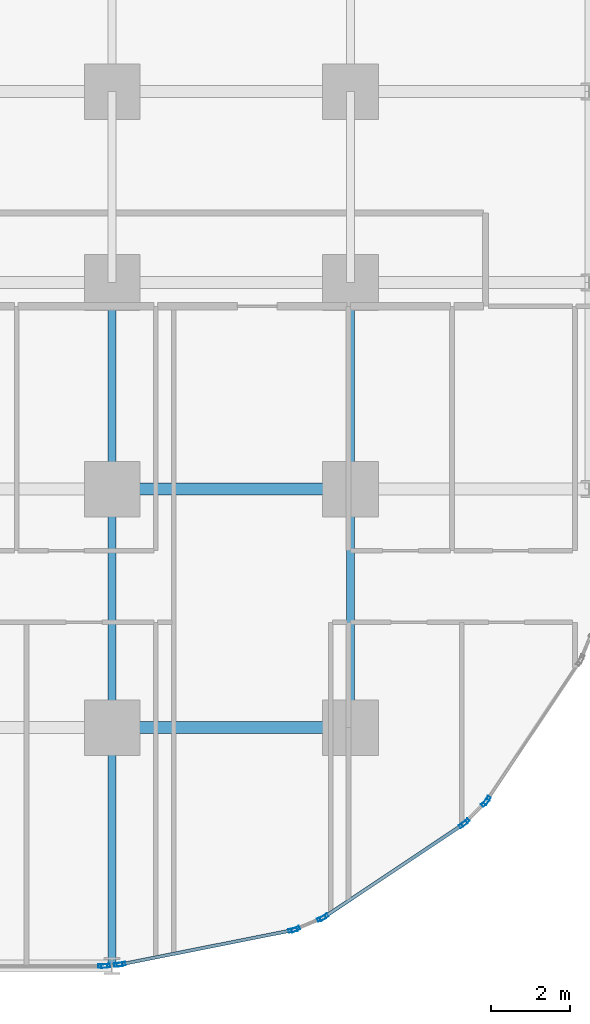
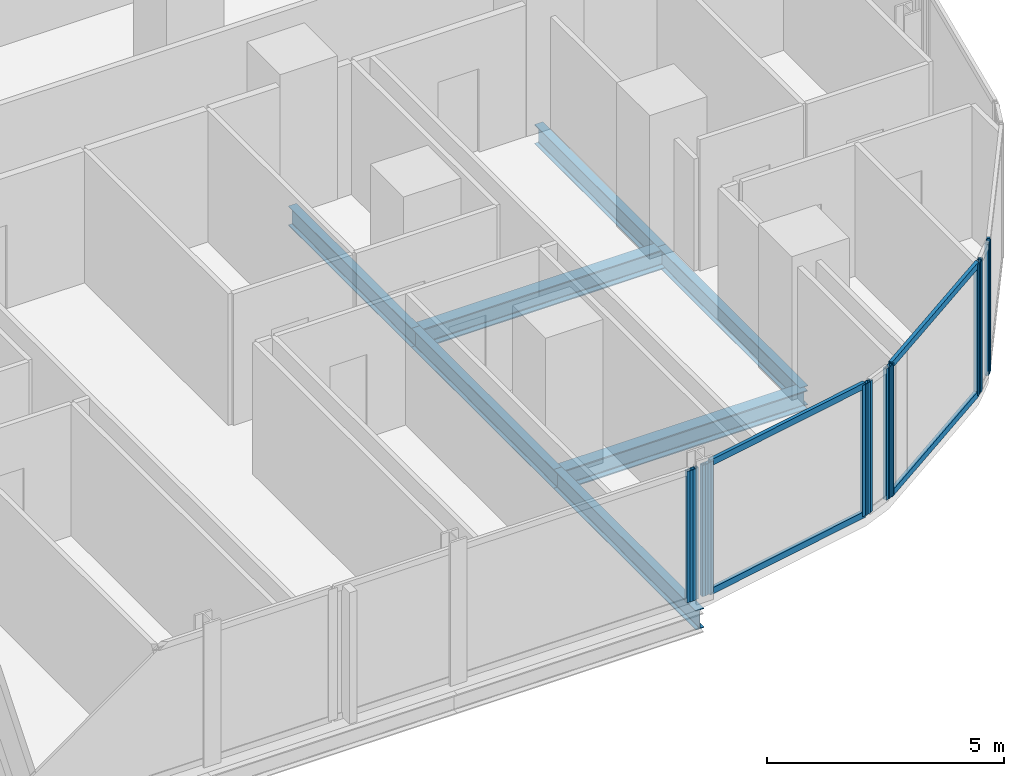
# One storey, part 9 of 34: 16 members, 7 beams, 7 elements without a shape of their own.
"""IFC4 building model written with IfcOpenShell, lengths in metres."""

from ifc_helpers import new_model, si_unit, direction, frame, origin, origin_2d, place, context, subcontext, project, spatial, hollow_rectangle, i_section, extrude, material, layer, layer_set, material_profile, profile_set, type_object, element, aggregate, save


model = new_model("IFC4")

# Units and contexts
model_context = context("Model", 3, precision=1e-05, world=origin(), true_north=direction((0.0, 1.0)))
body_context = subcontext(model_context, "Body", "Model", "MODEL_VIEW")
ifc_project = project(units=[si_unit("LENGTHUNIT", "METRE"), si_unit("AREAUNIT", "SQUARE_METRE"), si_unit("VOLUMEUNIT", "CUBIC_METRE"), si_unit("PLANEANGLEUNIT", "RADIAN"), si_unit("MASSUNIT", "GRAM", prefix="KILO")], contexts=[model_context])

# Site, building, storey
site_placement = place(None, origin())
site = spatial("IfcSite", under=ifc_project, at=site_placement, CompositionType="ELEMENT")
building_placement = place(site_placement, origin())
building = spatial("IfcBuilding", under=site, at=building_placement, Name="Keshet Zoharim Tower", CompositionType="ELEMENT")
storey_placement = place(building_placement, frame((0.0, 0.0, 38.800048828125)))
storey = spatial("IfcBuildingStorey", under=building, at=storey_placement, Name="L08", CompositionType="ELEMENT", Elevation=38.800048828125)

# Beams
ifc_material_1 = material(Name="Steel S355", Category="steel")
ifc_material_profile_1 = material_profile(ifc_material_1, i_section(OverallWidth=0.199951171875, OverallDepth=0.5, WebThickness=0.01025390625, FlangeThickness=0.01611328125, FilletRadius=0.02099609375, at=origin_2d()), Name="IPE500")
ifc_profile_set_1 = profile_set([ifc_material_profile_1], Name="Steel S355")
beam_type_1 = type_object("IfcBeamType", Name="BM-PRI-IP500", PredefinedType="BEAM", material=ifc_profile_set_1)
for number, where, z_axis, x_axis, name in (
    (1, (57.0, 0.699951171875, -0.56494140625), (0.0, 1.0, 0.0), (-1.0, 0.0, 0.0), "L08 Primary Girder Y-013"),
    (2, (57.0, 6.699951171875, -0.56494140625), (0.0, 1.0, 0.0), (-1.0, 0.0, 0.0), "L08 Primary Girder Y-014"),
):
    element("IfcBeam", number, at=place(storey_placement, frame(where, z_axis=z_axis, x_axis=x_axis)), inside=storey, type_object=beam_type_1, Name=name, PredefinedType="BEAM", context=body_context, shape_type="SweptSolid", body=[
        extrude(i_section(OverallWidth=0.199951171875, OverallDepth=0.5, WebThickness=0.01025390625, FlangeThickness=0.01611328125, FilletRadius=0.02099609375, at=origin_2d()), origin(), (0.0, 0.0, 1.0), 6.0),
    ])
beam_1_placement = place(storey_placement, frame((57.0, 12.699951171875, -0.56494140625), z_axis=(0.0, 1.0, 0.0), x_axis=(-1.0, 0.0, 0.0)))
element("IfcBeam", 3, at=beam_1_placement, inside=storey, type_object=beam_type_1, Name="L08 Primary Girder Y-015", PredefinedType="BEAM", context=body_context, shape_type="SweptSolid", body=[
    extrude(i_section(OverallWidth=0.199951171875, OverallDepth=0.5, WebThickness=0.01025390625, FlangeThickness=0.01611328125, FilletRadius=0.02099609375, at=origin_2d()), origin(), (0.0, 0.0, 1.0), 5.199951171875),
])
beam_2_placement = place(storey_placement, frame((63.0, 6.699951171875, -0.56494140625), z_axis=(0.0, 1.0, 0.0), x_axis=(-1.0, 0.0, 0.0)))
element("IfcBeam", 4, at=beam_2_placement, inside=storey, type_object=beam_type_1, Name="L08 Primary Girder Y-018", PredefinedType="BEAM", context=body_context, shape_type="SweptSolid", body=[
    extrude(i_section(OverallWidth=0.199951171875, OverallDepth=0.5, WebThickness=0.01025390625, FlangeThickness=0.01611328125, FilletRadius=0.02099609375, at=origin_2d()), origin(), (0.0, 0.0, 1.0), 6.0),
])
beam_3_placement = place(storey_placement, frame((63.0, 12.699951171875, -0.56494140625), z_axis=(0.0, 1.0, 0.0), x_axis=(-1.0, 0.0, 0.0)))
element("IfcBeam", 5, at=beam_3_placement, inside=storey, type_object=beam_type_1, Name="L08 Primary Girder Y-019", PredefinedType="BEAM", context=body_context, shape_type="SweptSolid", body=[
    extrude(i_section(OverallWidth=0.199951171875, OverallDepth=0.5, WebThickness=0.01025390625, FlangeThickness=0.01611328125, FilletRadius=0.02099609375, at=origin_2d()), origin(), (0.0, 0.0, 1.0), 5.199951171875),
])
ifc_material_profile_2 = material_profile(ifc_material_1, i_section(OverallWidth=0.300048828125, OverallDepth=0.5, WebThickness=0.014404296875, FlangeThickness=0.028076171875, FilletRadius=0.027099609375, at=origin_2d()), Name="HEB500")
ifc_profile_set_2 = profile_set([ifc_material_profile_2], Name="Steel S355")
beam_type_2 = type_object("IfcBeamType", Name="BM-WEB-HB500", PredefinedType="BEAM", material=ifc_profile_set_2)
for number, where, z_axis, x_axis, name in (
    (6, (57.0, 6.699951171875, -0.56494140625), (1.0, 0.0, 0.0), (0.0, 1.0, 0.0), "L08 Primary Girder X-010"),
    (7, (57.0, 12.699951171875, -0.56494140625), (1.0, 0.0, 0.0), (0.0, 1.0, 0.0), "L08 Primary Girder X-013"),
):
    element("IfcBeam", number, at=place(storey_placement, frame(where, z_axis=z_axis, x_axis=x_axis)), inside=storey, type_object=beam_type_2, Name=name, PredefinedType="BEAM", context=body_context, shape_type="SweptSolid", body=[
        extrude(i_section(OverallWidth=0.300048828125, OverallDepth=0.5, WebThickness=0.014404296875, FlangeThickness=0.028076171875, FilletRadius=0.027099609375, at=origin_2d()), origin(), (0.0, 0.0, 1.0), 6.0),
    ])

# Curtain wall, member
ifc_material_2 = material(Name="Aluminium 6063-T6", Category="aluminium")
ifc_layer = layer(ifc_material_2, 0.179931640625)
ifc_layer_set = layer_set([ifc_layer], Name="Aluminium 6063-T6")
curtain_wall_type = type_object("IfcCurtainWallType", Name="CW-SYS-01", PredefinedType="NOTDEFINED", material=ifc_layer_set)
curtain_wall_1_placement = place(storey_placement, origin())
curtain_wall_1 = element("IfcCurtainWall", 8, at=curtain_wall_1_placement, inside=storey, type_object=curtain_wall_type, Name="L08 Unitised Curtain Wall 20", PredefinedType="NOTDEFINED")
ifc_material_profile_3 = material_profile(ifc_material_2, hollow_rectangle(XDim=0.090087890625, YDim=0.219970703125, WallThickness=0.0048828125, at=origin_2d()), Name="MUL-90x220")
ifc_profile_set_3 = profile_set([ifc_material_profile_3], Name="Aluminium 6063-T6")
member_type_1 = type_object("IfcMemberType", Name="CWM-M22", PredefinedType="MULLION", material=ifc_profile_set_3)
member_1_placement = place(storey_placement, frame((66.432373046875, 4.8671875, 0.0), z_axis=(0.0, 0.0, 1.0), x_axis=(0.831474282335, -0.555563243758, 0.0)))
member_1 = element("IfcMember", 9, at=member_1_placement, type_object=member_type_1, Name="CW-01 mullion 2", PredefinedType="MULLION", context=body_context, shape_type="SweptSolid", body=[
    extrude(hollow_rectangle(XDim=0.090087890625, YDim=0.219970703125, WallThickness=0.0048828125, at=origin_2d()), origin(), (0.0, 0.0, 1.0), 3.385009765625),
])
aggregate(curtain_wall_1, [member_1])

# Curtain wall, members
curtain_wall_2_placement = place(storey_placement, origin())
curtain_wall_2 = element("IfcCurtainWall", 10, at=curtain_wall_2_placement, inside=storey, type_object=curtain_wall_type, Name="L08 Unitised Curtain Wall 21", PredefinedType="NOTDEFINED")
member_2_placement = place(storey_placement, frame((66.38818359375, 4.813232421875, 0.0), z_axis=(0.0, 0.0, 1.0), x_axis=(0.707106781187, -0.707106781187, 0.0)))
member_2 = element("IfcMember", 11, at=member_2_placement, type_object=member_type_1, Name="CW-01 mullion 1", PredefinedType="MULLION", context=body_context, shape_type="SweptSolid", body=[
    extrude(hollow_rectangle(XDim=0.090087890625, YDim=0.219970703125, WallThickness=0.0048828125, at=origin_2d()), origin(), (0.0, 0.0, 1.0), 3.385009765625),
])
member_3_placement = place(storey_placement, frame((65.88671875, 4.311767578125, 0.0), z_axis=(0.0, 0.0, 1.0), x_axis=(0.707106781187, -0.707106781187, 0.0)))
member_3 = element("IfcMember", 12, at=member_3_placement, type_object=member_type_1, Name="CW-01 mullion 2", PredefinedType="MULLION", context=body_context, shape_type="SweptSolid", body=[
    extrude(hollow_rectangle(XDim=0.090087890625, YDim=0.219970703125, WallThickness=0.0048828125, at=origin_2d()), origin(), (0.0, 0.0, 1.0), 3.385009765625),
])
aggregate(curtain_wall_2, [member_2, member_3])

curtain_wall_3_placement = place(storey_placement, origin())
curtain_wall_3 = element("IfcCurtainWall", 13, at=curtain_wall_3_placement, inside=storey, type_object=curtain_wall_type, Name="L08 Unitised Curtain Wall 22", PredefinedType="NOTDEFINED")
member_4_placement = place(storey_placement, frame((65.8330078125, 4.267578125, 0.0), z_axis=(0.0, 0.0, 1.0), x_axis=(0.555563243758, -0.831474282335, 0.0)))
member_4 = element("IfcMember", 14, at=member_4_placement, type_object=member_type_1, Name="CW-01 mullion 1", PredefinedType="MULLION", context=body_context, shape_type="SweptSolid", body=[
    extrude(hollow_rectangle(XDim=0.090087890625, YDim=0.219970703125, WallThickness=0.0048828125, at=origin_2d()), origin(), (0.0, 0.0, 1.0), 3.385009765625),
])
member_5_placement = place(storey_placement, frame((62.335205078125, 1.930419921875, 0.0), z_axis=(0.0, 0.0, 1.0), x_axis=(0.555563243758, -0.831474282335, 0.0)))
member_5 = element("IfcMember", 15, at=member_5_placement, type_object=member_type_1, Name="CW-01 mullion 2", PredefinedType="MULLION", context=body_context, shape_type="SweptSolid", body=[
    extrude(hollow_rectangle(XDim=0.090087890625, YDim=0.219970703125, WallThickness=0.0048828125, at=origin_2d()), origin(), (0.0, 0.0, 1.0), 3.385009765625),
])

curtain_wall_4_placement = place(storey_placement, origin())
curtain_wall_4 = element("IfcCurtainWall", 16, at=curtain_wall_4_placement, inside=storey, type_object=curtain_wall_type, Name="L08 Unitised Curtain Wall 23", PredefinedType="NOTDEFINED")
member_6_placement = place(storey_placement, frame((62.273681640625, 1.897705078125, 0.0), z_axis=(0.0, 0.0, 1.0), x_axis=(0.383068349739, -0.923720000557, 0.0)))
member_6 = element("IfcMember", 17, at=member_6_placement, type_object=member_type_1, Name="CW-01 mullion 1", PredefinedType="MULLION", context=body_context, shape_type="SweptSolid", body=[
    extrude(hollow_rectangle(XDim=0.090087890625, YDim=0.219970703125, WallThickness=0.0048828125, at=origin_2d()), origin(), (0.0, 0.0, 1.0), 3.385009765625),
])
member_7_placement = place(storey_placement, frame((61.617431640625, 1.62548828125, 0.0), z_axis=(0.0, 0.0, 1.0), x_axis=(0.383068349739, -0.923720000557, 0.0)))
member_7 = element("IfcMember", 18, at=member_7_placement, type_object=member_type_1, Name="CW-01 mullion 2", PredefinedType="MULLION", context=body_context, shape_type="SweptSolid", body=[
    extrude(hollow_rectangle(XDim=0.090087890625, YDim=0.219970703125, WallThickness=0.0048828125, at=origin_2d()), origin(), (0.0, 0.0, 1.0), 3.385009765625),
])
aggregate(curtain_wall_4, [member_6, member_7])

curtain_wall_5_placement = place(storey_placement, origin())
curtain_wall_5 = element("IfcCurtainWall", 19, at=curtain_wall_5_placement, inside=storey, type_object=curtain_wall_type, Name="L08 Unitised Curtain Wall 24", PredefinedType="NOTDEFINED")
member_8_placement = place(storey_placement, frame((61.55078125, 1.605224609375, 0.0), z_axis=(0.0, 0.0, 1.0), x_axis=(0.195171279072, -0.98076917357, 0.0)))
member_8 = element("IfcMember", 20, at=member_8_placement, type_object=member_type_1, Name="CW-01 mullion 1", PredefinedType="MULLION", context=body_context, shape_type="SweptSolid", body=[
    extrude(hollow_rectangle(XDim=0.090087890625, YDim=0.219970703125, WallThickness=0.0048828125, at=origin_2d()), origin(), (0.0, 0.0, 1.0), 3.385009765625),
])
member_9_placement = place(storey_placement, frame((57.227294921875, 0.744873046875, 0.0), z_axis=(0.0, 0.0, 1.0), x_axis=(0.195171279072, -0.98076917357, 0.0)))
member_9 = element("IfcMember", 21, at=member_9_placement, type_object=member_type_1, Name="CW-01 mullion 2", PredefinedType="MULLION", context=body_context, shape_type="SweptSolid", body=[
    extrude(hollow_rectangle(XDim=0.090087890625, YDim=0.219970703125, WallThickness=0.0048828125, at=origin_2d()), origin(), (0.0, 0.0, 1.0), 3.385009765625),
])

curtain_wall_6_placement = place(storey_placement, origin())
curtain_wall_6 = element("IfcCurtainWall", 22, at=curtain_wall_6_placement, inside=storey, type_object=curtain_wall_type, Name="L08 Unitised Curtain Wall 25", PredefinedType="NOTDEFINED")
member_10_placement = place(storey_placement, frame((57.158203125, 0.734619140625, 0.0), z_axis=(0.0, 0.0, 1.0), x_axis=(0.096976648633, -0.995286657009, 0.0)))
member_10 = element("IfcMember", 23, at=member_10_placement, type_object=member_type_1, Name="CW-01 mullion 1", PredefinedType="MULLION", context=body_context, shape_type="SweptSolid", body=[
    extrude(hollow_rectangle(XDim=0.090087890625, YDim=0.219970703125, WallThickness=0.0048828125, at=origin_2d()), origin(), (0.0, 0.0, 1.0), 3.385009765625),
])
member_11_placement = place(storey_placement, frame((56.837890625, 0.703369140625, 0.0), z_axis=(0.0, 0.0, 1.0), x_axis=(0.096976648633, -0.995286657009, 0.0)))
member_11 = element("IfcMember", 24, at=member_11_placement, type_object=member_type_1, Name="CW-01 mullion 2", PredefinedType="MULLION", context=body_context, shape_type="SweptSolid", body=[
    extrude(hollow_rectangle(XDim=0.090087890625, YDim=0.219970703125, WallThickness=0.0048828125, at=origin_2d()), origin(), (0.0, 0.0, 1.0), 3.385009765625),
])
aggregate(curtain_wall_6, [member_10, member_11])

# Curtain wall, member
curtain_wall_7_placement = place(storey_placement, origin())
curtain_wall_7 = element("IfcCurtainWall", 25, at=curtain_wall_7_placement, inside=storey, type_object=curtain_wall_type, Name="L08 Unitised Curtain Wall 26", PredefinedType="NOTDEFINED")
member_12_placement = place(storey_placement, frame((56.76806640625, 0.699951171875, 0.0), z_axis=(0.0, 0.0, 1.0), x_axis=(0.0, -1.0, 0.0)))
member_12 = element("IfcMember", 26, at=member_12_placement, type_object=member_type_1, Name="CW-01 mullion 1", PredefinedType="MULLION", context=body_context, shape_type="SweptSolid", body=[
    extrude(hollow_rectangle(XDim=0.090087890625, YDim=0.219970703125, WallThickness=0.0048828125, at=origin_2d()), origin(), (0.0, 0.0, 1.0), 3.385009765625),
])
aggregate(curtain_wall_7, [member_12])

# Member
ifc_material_profile_4 = material_profile(ifc_material_2, hollow_rectangle(XDim=0.0849609375, YDim=0.159912109375, WallThickness=0.00439453125, at=origin_2d()), Name="TRN-85x160")
ifc_profile_set_4 = profile_set([ifc_material_profile_4], Name="Aluminium 6063-T6")
member_type_2 = type_object("IfcMemberType", Name="CWT-T16", PredefinedType="USERDEFINED", material=ifc_profile_set_4)
member_13_placement = place(storey_placement, frame((65.8037109375, 4.248046875, 0.034912109375), z_axis=(-0.831477809106, -0.55555796544, 0.0), x_axis=(0.55555796544, -0.831477809106, 0.0)))
member_13 = element("IfcMember", 27, at=member_13_placement, type_object=member_type_2, Name="CW-01 transom 1.1", ObjectType="TRANSOM", PredefinedType="USERDEFINED", context=body_context, shape_type="SweptSolid", body=[
    extrude(hollow_rectangle(XDim=0.0849609375, YDim=0.159912109375, WallThickness=0.00439453125, at=origin_2d()), origin(), (0.0, 0.0, 1.0), 4.136474609375),
])

member_14_placement = place(storey_placement, frame((65.8037109375, 4.248046875, 3.349853515625), z_axis=(-0.831477809106, -0.55555796544, 0.0), x_axis=(0.55555796544, -0.831477809106, 0.0)))
member_14 = element("IfcMember", 28, at=member_14_placement, type_object=member_type_2, Name="CW-01 transom 1.2", ObjectType="TRANSOM", PredefinedType="USERDEFINED", context=body_context, shape_type="SweptSolid", body=[
    extrude(hollow_rectangle(XDim=0.0849609375, YDim=0.159912109375, WallThickness=0.00439453125, at=origin_2d()), origin(), (0.0, 0.0, 1.0), 4.136474609375),
])

aggregate(curtain_wall_3, [member_4, member_5, member_13, member_14])

member_15_placement = place(storey_placement, frame((61.516357421875, 1.598388671875, 0.034912109375), z_axis=(-0.980768540739, -0.195174459131, 0.0), x_axis=(0.195174459131, -0.980768540739, 0.0)))
member_15 = element("IfcMember", 29, at=member_15_placement, type_object=member_type_2, Name="CW-01 transom 1.1", ObjectType="TRANSOM", PredefinedType="USERDEFINED", context=body_context, shape_type="SweptSolid", body=[
    extrude(hollow_rectangle(XDim=0.0849609375, YDim=0.159912109375, WallThickness=0.00439453125, at=origin_2d()), origin(), (0.0, 0.0, 1.0), 4.338134765625),
])

member_16_placement = place(storey_placement, frame((61.516357421875, 1.598388671875, 3.349853515625), z_axis=(-0.980768540739, -0.195174459131, 0.0), x_axis=(0.195174459131, -0.980768540739, 0.0)))
member_16 = element("IfcMember", 30, at=member_16_placement, type_object=member_type_2, Name="CW-01 transom 1.2", ObjectType="TRANSOM", PredefinedType="USERDEFINED", context=body_context, shape_type="SweptSolid", body=[
    extrude(hollow_rectangle(XDim=0.0849609375, YDim=0.159912109375, WallThickness=0.00439453125, at=origin_2d()), origin(), (0.0, 0.0, 1.0), 4.338134765625),
])

aggregate(curtain_wall_5, [member_8, member_9, member_15, member_16])

save(model, "model.ifc")
